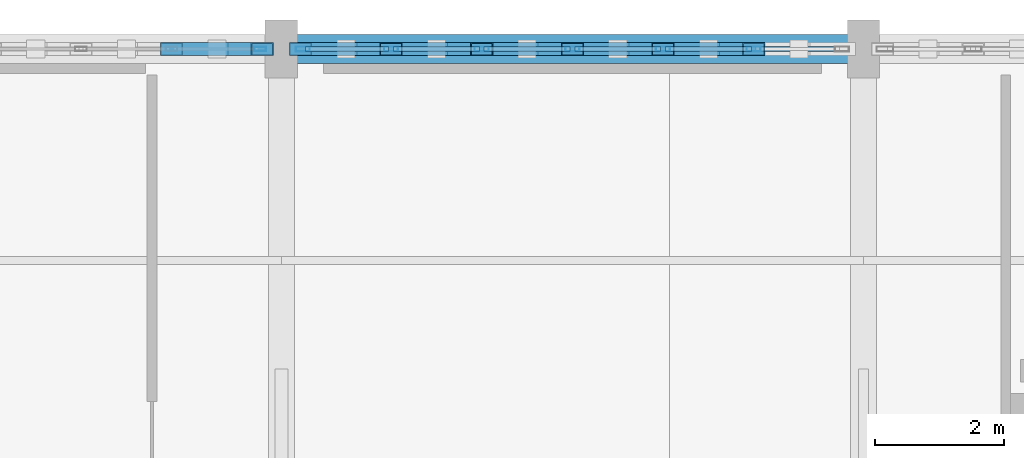
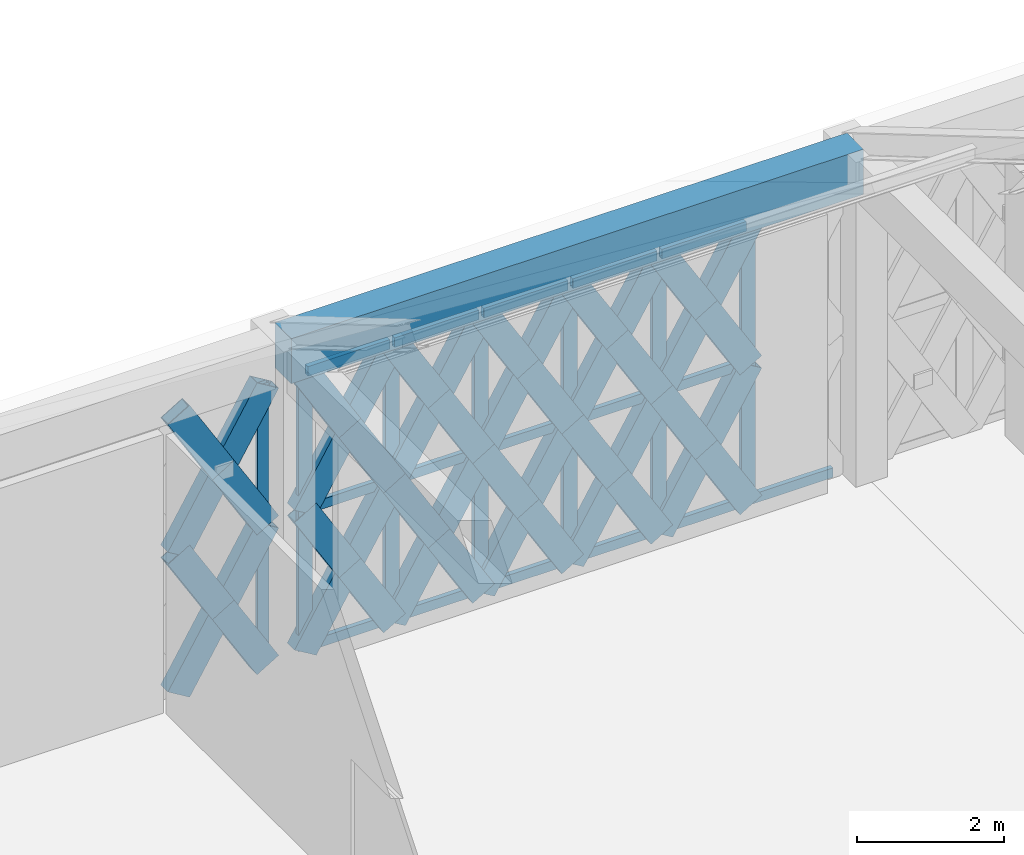
# One storey, part 52 of 72: 59 members, 1 beam, 2 elements without a shape of their own.
"""IFC4 building model written with IfcOpenShell, lengths in metres."""

from ifc_helpers import new_model, si_unit, direction, frame, origin, origin_2d, place, context, subcontext, project, spatial, rectangle, hollow_rectangle, extrude, material, material_profile, profile_set, type_object, element, aggregate, save


model = new_model("IFC4")

# Units and contexts
model_context = context("Model", 3, precision=1e-05, world=origin(), true_north=direction((0.0, 1.0)))
body_context = subcontext(model_context, "Body", "Model", "MODEL_VIEW")
ifc_project = project(units=[si_unit("LENGTHUNIT", "METRE"), si_unit("AREAUNIT", "SQUARE_METRE"), si_unit("VOLUMEUNIT", "CUBIC_METRE"), si_unit("PLANEANGLEUNIT", "RADIAN"), si_unit("MASSUNIT", "GRAM", prefix="KILO")], contexts=[model_context])

# Site, building, storey
site_placement = place(None, origin())
site = spatial("IfcSite", under=ifc_project, at=site_placement, CompositionType="ELEMENT")
building_placement = place(site_placement, origin())
building = spatial("IfcBuilding", under=site, at=building_placement, Name="Haizhuo Lancet Aquarium", CompositionType="ELEMENT")
storey_placement = place(building_placement, frame((0.0, 0.0, 21.60009765625)))
storey = spatial("IfcBuildingStorey", under=building, at=storey_placement, Name="L04", CompositionType="ELEMENT", Elevation=21.60009765625)

# Beam
ifc_material_1 = material(Name="Concrete C40/50", Category="concrete")
ifc_material_profile_1 = material_profile(ifc_material_1, rectangle(XDim=0.449951171875, YDim=0.75, at=origin_2d()), Name="RC-BM 450x750")
ifc_profile_set_1 = profile_set([ifc_material_profile_1], Name="Concrete C40/50")
beam_type = type_object("IfcBeamType", Name="BM-RC-450x750", PredefinedType="BEAM", material=ifc_profile_set_1)
beam_placement = place(storey_placement, frame((0.0, 55.800048828125, 5.02490234375), z_axis=(1.0, 0.0, 0.0), x_axis=(0.0, 1.0, 0.0)))
element("IfcBeam", 1, at=beam_placement, inside=storey, type_object=beam_type, Name="L04 V5 primary girder BM-L04-V5-016", PredefinedType="BEAM", context=body_context, shape_type="SweptSolid", body=[
    extrude(rectangle(XDim=0.449951171875, YDim=0.75, at=origin_2d()), origin(), (0.0, 0.0, 1.0), 9.0),
])

# Curtain wall, member
ifc_material_2 = material(Name="Aluminium 6063-T6", Category="aluminium")
curtain_wall_type = type_object("IfcCurtainWallType", Name="CWD-8410x4650", PredefinedType="NOTDEFINED", material=ifc_material_2)
curtain_wall_1_placement = place(storey_placement, origin())
curtain_wall_1 = element("IfcCurtainWall", 2, at=curtain_wall_1_placement, inside=storey, type_object=curtain_wall_type, Name="L04 curtain wall CW-V5-L04-178", PredefinedType="NOTDEFINED")
ifc_material_profile_2 = material_profile(ifc_material_2, hollow_rectangle(XDim=0.06494140625, YDim=0.179931640625, WallThickness=0.00390625, at=origin_2d()), Name="ALU-M 65x180x4")
ifc_profile_set_2 = profile_set([ifc_material_profile_2], Name="Aluminium 6063-T6")
member_type_1 = type_object("IfcMemberType", Name="CW-MUL-1", PredefinedType="MULLION", material=ifc_profile_set_2)
member_1_placement = place(storey_placement, frame((-0.327880859375, 55.800048828125, 0.0), z_axis=(0.0, 0.0, 1.0), x_axis=(0.0, 1.0, 0.0)))
member_1 = element("IfcMember", 3, at=member_1_placement, type_object=member_type_1, Name="CWD-84x46 mullion 7", PredefinedType="MULLION", context=body_context, shape_type="SweptSolid", body=[
    extrude(hollow_rectangle(XDim=0.06494140625, YDim=0.179931640625, WallThickness=0.00390625, at=origin_2d()), origin(), (0.0, 0.0, 1.0), 4.64990234375),
])
aggregate(curtain_wall_1, [member_1])

# Curtain wall, members
curtain_wall_2_placement = place(storey_placement, origin())
curtain_wall_2 = element("IfcCurtainWall", 4, at=curtain_wall_2_placement, inside=storey, type_object=curtain_wall_type, Name="L04 curtain wall CW-V5-L04-179", PredefinedType="NOTDEFINED")
ifc_material_profile_3 = material_profile(ifc_material_2, hollow_rectangle(XDim=0.074951171875, YDim=0.219970703125, WallThickness=0.0048828125, at=origin_2d()), Name="ALU-M 75x220x5")
ifc_profile_set_3 = profile_set([ifc_material_profile_3], Name="Aluminium 6063-T6")
member_type_2 = type_object("IfcMemberType", Name="CW-MUL-2", PredefinedType="MULLION", material=ifc_profile_set_3)
member_2_placement = place(storey_placement, frame((0.33203125, 55.800048828125, 0.0), z_axis=(0.0, 0.0, 1.0), x_axis=(0.0, 1.0, 0.0)))
member_2 = element("IfcMember", 5, at=member_2_placement, type_object=member_type_2, Name="CWD-84x46 mullion 1", PredefinedType="MULLION", context=body_context, shape_type="SweptSolid", body=[
    extrude(hollow_rectangle(XDim=0.074951171875, YDim=0.219970703125, WallThickness=0.0048828125, at=origin_2d()), origin(), (0.0, 0.0, 1.0), 4.64990234375),
])
member_3_placement = place(storey_placement, frame((1.697021484375, 55.800048828125, 0.0), z_axis=(0.0, 0.0, 1.0), x_axis=(0.0, 1.0, 0.0)))
member_3 = element("IfcMember", 6, at=member_3_placement, type_object=member_type_2, Name="CWD-84x46 mullion 2", PredefinedType="MULLION", context=body_context, shape_type="SweptSolid", body=[
    extrude(hollow_rectangle(XDim=0.074951171875, YDim=0.219970703125, WallThickness=0.0048828125, at=origin_2d()), origin(), (0.0, 0.0, 1.0), 4.64990234375),
])
member_4_placement = place(storey_placement, frame((3.097900390625, 55.800048828125, 0.0), z_axis=(0.0, 0.0, 1.0), x_axis=(0.0, 1.0, 0.0)))
member_4 = element("IfcMember", 7, at=member_4_placement, type_object=member_type_2, Name="CWD-84x46 mullion 3", PredefinedType="MULLION", context=body_context, shape_type="SweptSolid", body=[
    extrude(hollow_rectangle(XDim=0.074951171875, YDim=0.219970703125, WallThickness=0.0048828125, at=origin_2d()), origin(), (0.0, 0.0, 1.0), 4.64990234375),
])
member_5_placement = place(storey_placement, frame((4.5, 55.800048828125, 0.0), z_axis=(0.0, 0.0, 1.0), x_axis=(0.0, 1.0, 0.0)))
member_5 = element("IfcMember", 8, at=member_5_placement, type_object=member_type_2, Name="CWD-84x46 mullion 4", PredefinedType="MULLION", context=body_context, shape_type="SweptSolid", body=[
    extrude(hollow_rectangle(XDim=0.074951171875, YDim=0.219970703125, WallThickness=0.0048828125, at=origin_2d()), origin(), (0.0, 0.0, 1.0), 4.64990234375),
])
member_6_placement = place(storey_placement, frame((5.902099609375, 55.800048828125, 0.0), z_axis=(0.0, 0.0, 1.0), x_axis=(0.0, 1.0, 0.0)))
member_6 = element("IfcMember", 9, at=member_6_placement, type_object=member_type_2, Name="CWD-84x46 mullion 5", PredefinedType="MULLION", context=body_context, shape_type="SweptSolid", body=[
    extrude(hollow_rectangle(XDim=0.074951171875, YDim=0.219970703125, WallThickness=0.0048828125, at=origin_2d()), origin(), (0.0, 0.0, 1.0), 4.64990234375),
])
member_7_placement = place(storey_placement, frame((7.302978515625, 55.800048828125, 0.0), z_axis=(0.0, 0.0, 1.0), x_axis=(0.0, 1.0, 0.0)))
member_7 = element("IfcMember", 10, at=member_7_placement, type_object=member_type_2, Name="CWD-84x46 mullion 6", PredefinedType="MULLION", context=body_context, shape_type="SweptSolid", body=[
    extrude(hollow_rectangle(XDim=0.074951171875, YDim=0.219970703125, WallThickness=0.0048828125, at=origin_2d()), origin(), (0.0, 0.0, 1.0), 4.64990234375),
])
ifc_material_profile_4 = material_profile(ifc_material_2, hollow_rectangle(XDim=0.074951171875, YDim=0.159912109375, WallThickness=0.00390625, at=origin_2d()), Name="ALU-T 75x160x4")
ifc_profile_set_4 = profile_set([ifc_material_profile_4], Name="Aluminium 6063-T6")
member_type_3 = type_object("IfcMemberType", Name="CW-TRN-2", PredefinedType="NOTDEFINED", material=ifc_profile_set_4)
member_8_placement = place(storey_placement, frame((0.3701171875, 55.800048828125, 0.037841796875), z_axis=(1.0, 0.0, 0.0), x_axis=(0.0, 1.0, 0.0)))
member_8 = element("IfcMember", 11, at=member_8_placement, type_object=member_type_3, Name="CWD-84x46 transom 1.1", ObjectType="TRANSOM", PredefinedType="USERDEFINED", context=body_context, shape_type="SweptSolid", body=[
    extrude(hollow_rectangle(XDim=0.074951171875, YDim=0.159912109375, WallThickness=0.00390625, at=origin_2d()), origin(), (0.0, 0.0, 1.0), 1.288818359375),
])
member_9_placement = place(storey_placement, frame((0.3701171875, 55.800048828125, 2.324951171875), z_axis=(1.0, 0.0, 0.0), x_axis=(0.0, 1.0, 0.0)))
member_9 = element("IfcMember", 12, at=member_9_placement, type_object=member_type_3, Name="CWD-84x46 transom 1.2", ObjectType="TRANSOM", PredefinedType="USERDEFINED", context=body_context, shape_type="SweptSolid", body=[
    extrude(hollow_rectangle(XDim=0.074951171875, YDim=0.159912109375, WallThickness=0.00390625, at=origin_2d()), origin(), (0.0, 0.0, 1.0), 1.288818359375),
])
member_10_placement = place(storey_placement, frame((0.3701171875, 55.800048828125, 4.61181640625), z_axis=(1.0, 0.0, 0.0), x_axis=(0.0, 1.0, 0.0)))
member_10 = element("IfcMember", 13, at=member_10_placement, type_object=member_type_3, Name="CWD-84x46 transom 1.3", ObjectType="TRANSOM", PredefinedType="USERDEFINED", context=body_context, shape_type="SweptSolid", body=[
    extrude(hollow_rectangle(XDim=0.074951171875, YDim=0.159912109375, WallThickness=0.00390625, at=origin_2d()), origin(), (0.0, 0.0, 1.0), 1.288818359375),
])
member_11_placement = place(storey_placement, frame((1.73388671875, 55.800048828125, 0.037841796875), z_axis=(1.0, 0.0, 0.0), x_axis=(0.0, 1.0, 0.0)))
member_11 = element("IfcMember", 14, at=member_11_placement, type_object=member_type_3, Name="CWD-84x46 transom 2.1", ObjectType="TRANSOM", PredefinedType="USERDEFINED", context=body_context, shape_type="SweptSolid", body=[
    extrude(hollow_rectangle(XDim=0.074951171875, YDim=0.159912109375, WallThickness=0.00390625, at=origin_2d()), origin(), (0.0, 0.0, 1.0), 1.3271484375),
])
member_12_placement = place(storey_placement, frame((1.73388671875, 55.800048828125, 2.324951171875), z_axis=(1.0, 0.0, 0.0), x_axis=(0.0, 1.0, 0.0)))
member_12 = element("IfcMember", 15, at=member_12_placement, type_object=member_type_3, Name="CWD-84x46 transom 2.2", ObjectType="TRANSOM", PredefinedType="USERDEFINED", context=body_context, shape_type="SweptSolid", body=[
    extrude(hollow_rectangle(XDim=0.074951171875, YDim=0.159912109375, WallThickness=0.00390625, at=origin_2d()), origin(), (0.0, 0.0, 1.0), 1.3271484375),
])
member_13_placement = place(storey_placement, frame((1.73388671875, 55.800048828125, 4.61181640625), z_axis=(1.0, 0.0, 0.0), x_axis=(0.0, 1.0, 0.0)))
member_13 = element("IfcMember", 16, at=member_13_placement, type_object=member_type_3, Name="CWD-84x46 transom 2.3", ObjectType="TRANSOM", PredefinedType="USERDEFINED", context=body_context, shape_type="SweptSolid", body=[
    extrude(hollow_rectangle(XDim=0.074951171875, YDim=0.159912109375, WallThickness=0.00390625, at=origin_2d()), origin(), (0.0, 0.0, 1.0), 1.3271484375),
])
member_14_placement = place(storey_placement, frame((3.135986328125, 55.800048828125, 0.037841796875), z_axis=(1.0, 0.0, 0.0), x_axis=(0.0, 1.0, 0.0)))
member_14 = element("IfcMember", 17, at=member_14_placement, type_object=member_type_3, Name="CWD-84x46 transom 3.1", ObjectType="TRANSOM", PredefinedType="USERDEFINED", context=body_context, shape_type="SweptSolid", body=[
    extrude(hollow_rectangle(XDim=0.074951171875, YDim=0.159912109375, WallThickness=0.00390625, at=origin_2d()), origin(), (0.0, 0.0, 1.0), 1.326904296875),
])
member_15_placement = place(storey_placement, frame((3.135986328125, 55.800048828125, 2.324951171875), z_axis=(1.0, 0.0, 0.0), x_axis=(0.0, 1.0, 0.0)))
member_15 = element("IfcMember", 18, at=member_15_placement, type_object=member_type_3, Name="CWD-84x46 transom 3.2", ObjectType="TRANSOM", PredefinedType="USERDEFINED", context=body_context, shape_type="SweptSolid", body=[
    extrude(hollow_rectangle(XDim=0.074951171875, YDim=0.159912109375, WallThickness=0.00390625, at=origin_2d()), origin(), (0.0, 0.0, 1.0), 1.326904296875),
])
member_16_placement = place(storey_placement, frame((3.135986328125, 55.800048828125, 4.61181640625), z_axis=(1.0, 0.0, 0.0), x_axis=(0.0, 1.0, 0.0)))
member_16 = element("IfcMember", 19, at=member_16_placement, type_object=member_type_3, Name="CWD-84x46 transom 3.3", ObjectType="TRANSOM", PredefinedType="USERDEFINED", context=body_context, shape_type="SweptSolid", body=[
    extrude(hollow_rectangle(XDim=0.074951171875, YDim=0.159912109375, WallThickness=0.00390625, at=origin_2d()), origin(), (0.0, 0.0, 1.0), 1.326904296875),
])
member_17_placement = place(storey_placement, frame((4.537109375, 55.800048828125, 0.037841796875), z_axis=(1.0, 0.0, 0.0), x_axis=(0.0, 1.0, 0.0)))
member_17 = element("IfcMember", 20, at=member_17_placement, type_object=member_type_3, Name="CWD-84x46 transom 4.1", ObjectType="TRANSOM", PredefinedType="USERDEFINED", context=body_context, shape_type="SweptSolid", body=[
    extrude(hollow_rectangle(XDim=0.074951171875, YDim=0.159912109375, WallThickness=0.00390625, at=origin_2d()), origin(), (0.0, 0.0, 1.0), 1.326904296875),
])
member_18_placement = place(storey_placement, frame((4.537109375, 55.800048828125, 2.324951171875), z_axis=(1.0, 0.0, 0.0), x_axis=(0.0, 1.0, 0.0)))
member_18 = element("IfcMember", 21, at=member_18_placement, type_object=member_type_3, Name="CWD-84x46 transom 4.2", ObjectType="TRANSOM", PredefinedType="USERDEFINED", context=body_context, shape_type="SweptSolid", body=[
    extrude(hollow_rectangle(XDim=0.074951171875, YDim=0.159912109375, WallThickness=0.00390625, at=origin_2d()), origin(), (0.0, 0.0, 1.0), 1.326904296875),
])
member_19_placement = place(storey_placement, frame((4.537109375, 55.800048828125, 4.61181640625), z_axis=(1.0, 0.0, 0.0), x_axis=(0.0, 1.0, 0.0)))
member_19 = element("IfcMember", 22, at=member_19_placement, type_object=member_type_3, Name="CWD-84x46 transom 4.3", ObjectType="TRANSOM", PredefinedType="USERDEFINED", context=body_context, shape_type="SweptSolid", body=[
    extrude(hollow_rectangle(XDim=0.074951171875, YDim=0.159912109375, WallThickness=0.00390625, at=origin_2d()), origin(), (0.0, 0.0, 1.0), 1.326904296875),
])
member_20_placement = place(storey_placement, frame((5.93896484375, 55.800048828125, 0.037841796875), z_axis=(1.0, 0.0, 0.0), x_axis=(0.0, 1.0, 0.0)))
member_20 = element("IfcMember", 23, at=member_20_placement, type_object=member_type_3, Name="CWD-84x46 transom 5.1", ObjectType="TRANSOM", PredefinedType="USERDEFINED", context=body_context, shape_type="SweptSolid", body=[
    extrude(hollow_rectangle(XDim=0.074951171875, YDim=0.159912109375, WallThickness=0.00390625, at=origin_2d()), origin(), (0.0, 0.0, 1.0), 1.3271484375),
])
member_21_placement = place(storey_placement, frame((5.93896484375, 55.800048828125, 2.324951171875), z_axis=(1.0, 0.0, 0.0), x_axis=(0.0, 1.0, 0.0)))
member_21 = element("IfcMember", 24, at=member_21_placement, type_object=member_type_3, Name="CWD-84x46 transom 5.2", ObjectType="TRANSOM", PredefinedType="USERDEFINED", context=body_context, shape_type="SweptSolid", body=[
    extrude(hollow_rectangle(XDim=0.074951171875, YDim=0.159912109375, WallThickness=0.00390625, at=origin_2d()), origin(), (0.0, 0.0, 1.0), 1.3271484375),
])
member_22_placement = place(storey_placement, frame((5.93896484375, 55.800048828125, 4.61181640625), z_axis=(1.0, 0.0, 0.0), x_axis=(0.0, 1.0, 0.0)))
member_22 = element("IfcMember", 25, at=member_22_placement, type_object=member_type_3, Name="CWD-84x46 transom 5.3", ObjectType="TRANSOM", PredefinedType="USERDEFINED", context=body_context, shape_type="SweptSolid", body=[
    extrude(hollow_rectangle(XDim=0.074951171875, YDim=0.159912109375, WallThickness=0.00390625, at=origin_2d()), origin(), (0.0, 0.0, 1.0), 1.3271484375),
])
member_23_placement = place(storey_placement, frame((7.341064453125, 55.800048828125, 0.037841796875), z_axis=(1.0, 0.0, 0.0), x_axis=(0.0, 1.0, 0.0)))
member_23 = element("IfcMember", 26, at=member_23_placement, type_object=member_type_3, Name="CWD-84x46 transom 6.1", ObjectType="TRANSOM", PredefinedType="USERDEFINED", context=body_context, shape_type="SweptSolid", body=[
    extrude(hollow_rectangle(XDim=0.074951171875, YDim=0.159912109375, WallThickness=0.00390625, at=origin_2d()), origin(), (0.0, 0.0, 1.0), 1.288818359375),
])
aggregate(curtain_wall_2, [member_2, member_3, member_4, member_5, member_6, member_7, member_8, member_9, member_10, member_11, member_12, member_13, member_14, member_15, member_16, member_17, member_18, member_19, member_20, member_21, member_22, member_23])

# Members
ifc_material_3 = material(Name="Steel S355", Category="steel")
ifc_material_profile_5 = material_profile(ifc_material_3, hollow_rectangle(XDim=0.199951171875, YDim=0.39990234375, WallThickness=0.011962890625, at=origin_2d()), Name="RHS 200x400x12")
ifc_profile_set_5 = profile_set([ifc_material_profile_5], Name="Steel S355")
member_type_4 = type_object("IfcMemberType", Name="MEM-LB-RHS200x400", PredefinedType="BRACE", material=ifc_profile_set_5)
member_24_placement = place(storey_placement, frame((-1.697021484375, 55.800048828125, 0.0), z_axis=(0.516425141118, 0.0, 0.856332338302), x_axis=(0.0, 1.0, 0.0)))
element("IfcMember", 27, at=member_24_placement, inside=storey, type_object=member_type_4, Name="Gothic lancet continuous diagonal brace CW-V5-L04-178 11A", PredefinedType="BRACE", context=body_context, shape_type="SweptSolid", body=[
    extrude(hollow_rectangle(XDim=0.199951171875, YDim=0.39990234375, WallThickness=0.011962890625, at=origin_2d()), origin(), (0.0, 0.0, 1.0), 2.715087890625),
])
member_25_placement = place(storey_placement, frame((-0.294921875, 55.800048828125, 0.0), z_axis=(-0.516371795819, 0.0, 0.856364506786), x_axis=(0.0, -1.0, 0.0)))
element("IfcMember", 28, at=member_25_placement, inside=storey, type_object=member_type_4, Name="Gothic lancet split diagonal brace CW-V5-L04-178 11B1", PredefinedType="BRACE", context=body_context, shape_type="SweptSolid", body=[
    extrude(hollow_rectangle(XDim=0.199951171875, YDim=0.39990234375, WallThickness=0.011962890625, at=origin_2d()), origin(), (0.0, 0.0, 1.0), 1.35791015625),
])
member_26_placement = place(storey_placement, frame((-0.99609375, 55.800048828125, 1.162841796875), z_axis=(-0.51647851402, 0.0, 0.856300148637), x_axis=(0.0, -1.0, 0.0)))
element("IfcMember", 29, at=member_26_placement, inside=storey, type_object=member_type_4, Name="Gothic lancet split diagonal brace CW-V5-L04-178 11B2", PredefinedType="BRACE", context=body_context, shape_type="SweptSolid", body=[
    extrude(hollow_rectangle(XDim=0.199951171875, YDim=0.39990234375, WallThickness=0.011962890625, at=origin_2d()), origin(), (0.0, 0.0, 1.0), 1.357177734375),
])
member_27_placement = place(storey_placement, frame((-1.697021484375, 55.800048828125, 2.324951171875), z_axis=(0.516425141118, 0.0, 0.856332338302), x_axis=(0.0, 1.0, 0.0)))
element("IfcMember", 30, at=member_27_placement, inside=storey, type_object=member_type_4, Name="Gothic lancet continuous diagonal brace CW-V5-L04-178 12A", PredefinedType="BRACE", context=body_context, shape_type="SweptSolid", body=[
    extrude(hollow_rectangle(XDim=0.199951171875, YDim=0.39990234375, WallThickness=0.011962890625, at=origin_2d()), origin(), (0.0, 0.0, 1.0), 2.715087890625),
])
member_28_placement = place(storey_placement, frame((-0.294921875, 55.800048828125, 2.324951171875), z_axis=(-0.516689979653, 0.0, 0.856172567259), x_axis=(0.0, -1.0, 0.0)))
element("IfcMember", 31, at=member_28_placement, inside=storey, type_object=member_type_4, Name="Gothic lancet split diagonal brace CW-V5-L04-178 12B1", PredefinedType="BRACE", context=body_context, shape_type="SweptSolid", body=[
    extrude(hollow_rectangle(XDim=0.199951171875, YDim=0.39990234375, WallThickness=0.011962890625, at=origin_2d()), origin(), (0.0, 0.0, 1.0), 1.35693359375),
])
member_29_placement = place(storey_placement, frame((-0.99609375, 55.800048828125, 3.48681640625), z_axis=(-0.516160432506, 0.0, 0.856491919352), x_axis=(0.0, -1.0, 0.0)))
element("IfcMember", 32, at=member_29_placement, inside=storey, type_object=member_type_4, Name="Gothic lancet split diagonal brace CW-V5-L04-178 12B2", PredefinedType="BRACE", context=body_context, shape_type="SweptSolid", body=[
    extrude(hollow_rectangle(XDim=0.199951171875, YDim=0.39990234375, WallThickness=0.011962890625, at=origin_2d()), origin(), (0.0, 0.0, 1.0), 1.35791015625),
])
member_30_placement = place(storey_placement, frame((0.294921875, 55.800048828125, 0.0), z_axis=(0.516425141118, 0.0, 0.856332338302), x_axis=(0.0, 1.0, 0.0)))
element("IfcMember", 33, at=member_30_placement, inside=storey, type_object=member_type_4, Name="Gothic lancet continuous diagonal brace CW-V5-L04-179 1A", PredefinedType="BRACE", context=body_context, shape_type="SweptSolid", body=[
    extrude(hollow_rectangle(XDim=0.199951171875, YDim=0.39990234375, WallThickness=0.011962890625, at=origin_2d()), origin(), (0.0, 0.0, 1.0), 2.715087890625),
])
member_31_placement = place(storey_placement, frame((1.697021484375, 55.800048828125, 0.0), z_axis=(-0.516239922823, 0.0, 0.856444009894), x_axis=(0.0, -1.0, 0.0)))
element("IfcMember", 34, at=member_31_placement, inside=storey, type_object=member_type_4, Name="Gothic lancet split diagonal brace CW-V5-L04-179 1B1", PredefinedType="BRACE", context=body_context, shape_type="SweptSolid", body=[
    extrude(hollow_rectangle(XDim=0.199951171875, YDim=0.39990234375, WallThickness=0.011962890625, at=origin_2d()), origin(), (0.0, 0.0, 1.0), 1.357666015625),
])
member_32_placement = place(storey_placement, frame((0.99609375, 55.800048828125, 1.162841796875), z_axis=(-0.516610403628, 0.0, 0.8562205854), x_axis=(0.0, -1.0, 0.0)))
element("IfcMember", 35, at=member_32_placement, inside=storey, type_object=member_type_4, Name="Gothic lancet split diagonal brace CW-V5-L04-179 1B2", PredefinedType="BRACE", context=body_context, shape_type="SweptSolid", body=[
    extrude(hollow_rectangle(XDim=0.199951171875, YDim=0.39990234375, WallThickness=0.011962890625, at=origin_2d()), origin(), (0.0, 0.0, 1.0), 1.357177734375),
])
member_33_placement = place(storey_placement, frame((0.294921875, 55.800048828125, 2.324951171875), z_axis=(0.516425141118, 0.0, 0.856332338302), x_axis=(0.0, 1.0, 0.0)))
element("IfcMember", 36, at=member_33_placement, inside=storey, type_object=member_type_4, Name="Gothic lancet continuous diagonal brace CW-V5-L04-179 2A", PredefinedType="BRACE", context=body_context, shape_type="SweptSolid", body=[
    extrude(hollow_rectangle(XDim=0.199951171875, YDim=0.39990234375, WallThickness=0.011962890625, at=origin_2d()), origin(), (0.0, 0.0, 1.0), 2.715087890625),
])
member_34_placement = place(storey_placement, frame((1.697021484375, 55.800048828125, 2.324951171875), z_axis=(-0.516558084519, 0.0, 0.856252150548), x_axis=(0.0, -1.0, 0.0)))
element("IfcMember", 37, at=member_34_placement, inside=storey, type_object=member_type_4, Name="Gothic lancet split diagonal brace CW-V5-L04-179 2B1", PredefinedType="BRACE", context=body_context, shape_type="SweptSolid", body=[
    extrude(hollow_rectangle(XDim=0.199951171875, YDim=0.39990234375, WallThickness=0.011962890625, at=origin_2d()), origin(), (0.0, 0.0, 1.0), 1.35693359375),
])
member_35_placement = place(storey_placement, frame((0.99609375, 55.800048828125, 3.48681640625), z_axis=(-0.516292299955, 0.0, 0.856412436276), x_axis=(0.0, -1.0, 0.0)))
element("IfcMember", 38, at=member_35_placement, inside=storey, type_object=member_type_4, Name="Gothic lancet split diagonal brace CW-V5-L04-179 2B2", PredefinedType="BRACE", context=body_context, shape_type="SweptSolid", body=[
    extrude(hollow_rectangle(XDim=0.199951171875, YDim=0.39990234375, WallThickness=0.011962890625, at=origin_2d()), origin(), (0.0, 0.0, 1.0), 1.358154296875),
])
member_36_placement = place(storey_placement, frame((1.697021484375, 55.800048828125, 0.0), z_axis=(0.516095323005, 0.0, 0.856531153883), x_axis=(0.0, 1.0, 0.0)))
element("IfcMember", 39, at=member_36_placement, inside=storey, type_object=member_type_4, Name="Gothic lancet continuous diagonal brace CW-V5-L04-179 3A", PredefinedType="BRACE", context=body_context, shape_type="SweptSolid", body=[
    extrude(hollow_rectangle(XDim=0.199951171875, YDim=0.39990234375, WallThickness=0.011962890625, at=origin_2d()), origin(), (0.0, 0.0, 1.0), 2.71435546875),
])
member_37_placement = place(storey_placement, frame((3.097900390625, 55.800048828125, 0.0), z_axis=(-0.516239922823, 0.0, 0.856444009894), x_axis=(0.0, -1.0, 0.0)))
element("IfcMember", 40, at=member_37_placement, inside=storey, type_object=member_type_4, Name="Gothic lancet split diagonal brace CW-V5-L04-179 3B1", PredefinedType="BRACE", context=body_context, shape_type="SweptSolid", body=[
    extrude(hollow_rectangle(XDim=0.199951171875, YDim=0.39990234375, WallThickness=0.011962890625, at=origin_2d()), origin(), (0.0, 0.0, 1.0), 1.357666015625),
])
member_38_placement = place(storey_placement, frame((2.39697265625, 55.800048828125, 1.162841796875), z_axis=(-0.515950587872, 0.0, 0.8566183461), x_axis=(0.0, -1.0, 0.0)))
element("IfcMember", 41, at=member_38_placement, inside=storey, type_object=member_type_4, Name="Gothic lancet split diagonal brace CW-V5-L04-179 3B2", PredefinedType="BRACE", context=body_context, shape_type="SweptSolid", body=[
    extrude(hollow_rectangle(XDim=0.199951171875, YDim=0.39990234375, WallThickness=0.011962890625, at=origin_2d()), origin(), (0.0, 0.0, 1.0), 1.356689453125),
])
member_39_placement = place(storey_placement, frame((1.697021484375, 55.800048828125, 2.324951171875), z_axis=(0.516095323005, 0.0, 0.856531153883), x_axis=(0.0, 1.0, 0.0)))
element("IfcMember", 42, at=member_39_placement, inside=storey, type_object=member_type_4, Name="Gothic lancet continuous diagonal brace CW-V5-L04-179 4A", PredefinedType="BRACE", context=body_context, shape_type="SweptSolid", body=[
    extrude(hollow_rectangle(XDim=0.199951171875, YDim=0.39990234375, WallThickness=0.011962890625, at=origin_2d()), origin(), (0.0, 0.0, 1.0), 2.71435546875),
])
member_40_placement = place(storey_placement, frame((3.097900390625, 55.800048828125, 2.324951171875), z_axis=(-0.516558084519, 0.0, 0.856252150548), x_axis=(0.0, -1.0, 0.0)))
element("IfcMember", 43, at=member_40_placement, inside=storey, type_object=member_type_4, Name="Gothic lancet split diagonal brace CW-V5-L04-179 4B1", PredefinedType="BRACE", context=body_context, shape_type="SweptSolid", body=[
    extrude(hollow_rectangle(XDim=0.199951171875, YDim=0.39990234375, WallThickness=0.011962890625, at=origin_2d()), origin(), (0.0, 0.0, 1.0), 1.35693359375),
])
member_41_placement = place(storey_placement, frame((2.39697265625, 55.800048828125, 3.48681640625), z_axis=(-0.51563259551, 0.0, 0.856809795957), x_axis=(0.0, -1.0, 0.0)))
element("IfcMember", 44, at=member_41_placement, inside=storey, type_object=member_type_4, Name="Gothic lancet split diagonal brace CW-V5-L04-179 4B2", PredefinedType="BRACE", context=body_context, shape_type="SweptSolid", body=[
    extrude(hollow_rectangle(XDim=0.199951171875, YDim=0.39990234375, WallThickness=0.011962890625, at=origin_2d()), origin(), (0.0, 0.0, 1.0), 1.357421875),
])
member_42_placement = place(storey_placement, frame((3.097900390625, 55.800048828125, 0.0), z_axis=(0.516425141118, 0.0, 0.856332338302), x_axis=(0.0, 1.0, 0.0)))
element("IfcMember", 45, at=member_42_placement, inside=storey, type_object=member_type_4, Name="Gothic lancet continuous diagonal brace CW-V5-L04-179 5A", PredefinedType="BRACE", context=body_context, shape_type="SweptSolid", body=[
    extrude(hollow_rectangle(XDim=0.199951171875, YDim=0.39990234375, WallThickness=0.011962890625, at=origin_2d()), origin(), (0.0, 0.0, 1.0), 2.715087890625),
])
member_43_placement = place(storey_placement, frame((4.5, 55.800048828125, 0.0), z_axis=(-0.516239922823, 0.0, 0.856444009894), x_axis=(0.0, -1.0, 0.0)))
element("IfcMember", 46, at=member_43_placement, inside=storey, type_object=member_type_4, Name="Gothic lancet split diagonal brace CW-V5-L04-179 5B1", PredefinedType="BRACE", context=body_context, shape_type="SweptSolid", body=[
    extrude(hollow_rectangle(XDim=0.199951171875, YDim=0.39990234375, WallThickness=0.011962890625, at=origin_2d()), origin(), (0.0, 0.0, 1.0), 1.357666015625),
])
member_44_placement = place(storey_placement, frame((3.799072265625, 55.800048828125, 1.162841796875), z_axis=(-0.516610403628, 0.0, 0.8562205854), x_axis=(0.0, -1.0, 0.0)))
element("IfcMember", 47, at=member_44_placement, inside=storey, type_object=member_type_4, Name="Gothic lancet split diagonal brace CW-V5-L04-179 5B2", PredefinedType="BRACE", context=body_context, shape_type="SweptSolid", body=[
    extrude(hollow_rectangle(XDim=0.199951171875, YDim=0.39990234375, WallThickness=0.011962890625, at=origin_2d()), origin(), (0.0, 0.0, 1.0), 1.357177734375),
])
member_45_placement = place(storey_placement, frame((3.097900390625, 55.800048828125, 2.324951171875), z_axis=(0.516425141118, 0.0, 0.856332338302), x_axis=(0.0, 1.0, 0.0)))
element("IfcMember", 48, at=member_45_placement, inside=storey, type_object=member_type_4, Name="Gothic lancet continuous diagonal brace CW-V5-L04-179 6A", PredefinedType="BRACE", context=body_context, shape_type="SweptSolid", body=[
    extrude(hollow_rectangle(XDim=0.199951171875, YDim=0.39990234375, WallThickness=0.011962890625, at=origin_2d()), origin(), (0.0, 0.0, 1.0), 2.715087890625),
])
member_46_placement = place(storey_placement, frame((4.5, 55.800048828125, 2.324951171875), z_axis=(-0.516558084519, 0.0, 0.856252150548), x_axis=(0.0, -1.0, 0.0)))
element("IfcMember", 49, at=member_46_placement, inside=storey, type_object=member_type_4, Name="Gothic lancet split diagonal brace CW-V5-L04-179 6B1", PredefinedType="BRACE", context=body_context, shape_type="SweptSolid", body=[
    extrude(hollow_rectangle(XDim=0.199951171875, YDim=0.39990234375, WallThickness=0.011962890625, at=origin_2d()), origin(), (0.0, 0.0, 1.0), 1.35693359375),
])
member_47_placement = place(storey_placement, frame((3.799072265625, 55.800048828125, 3.48681640625), z_axis=(-0.516292299955, 0.0, 0.856412436276), x_axis=(0.0, -1.0, 0.0)))
element("IfcMember", 50, at=member_47_placement, inside=storey, type_object=member_type_4, Name="Gothic lancet split diagonal brace CW-V5-L04-179 6B2", PredefinedType="BRACE", context=body_context, shape_type="SweptSolid", body=[
    extrude(hollow_rectangle(XDim=0.199951171875, YDim=0.39990234375, WallThickness=0.011962890625, at=origin_2d()), origin(), (0.0, 0.0, 1.0), 1.358154296875),
])
member_48_placement = place(storey_placement, frame((4.5, 55.800048828125, 0.0), z_axis=(0.516425141118, 0.0, 0.856332338302), x_axis=(0.0, 1.0, 0.0)))
element("IfcMember", 51, at=member_48_placement, inside=storey, type_object=member_type_4, Name="Gothic lancet continuous diagonal brace CW-V5-L04-179 7A", PredefinedType="BRACE", context=body_context, shape_type="SweptSolid", body=[
    extrude(hollow_rectangle(XDim=0.199951171875, YDim=0.39990234375, WallThickness=0.011962890625, at=origin_2d()), origin(), (0.0, 0.0, 1.0), 2.715087890625),
])
member_49_placement = place(storey_placement, frame((5.902099609375, 55.800048828125, 0.0), z_axis=(-0.516371795819, 0.0, 0.856364506786), x_axis=(0.0, -1.0, 0.0)))
element("IfcMember", 52, at=member_49_placement, inside=storey, type_object=member_type_4, Name="Gothic lancet split diagonal brace CW-V5-L04-179 7B1", PredefinedType="BRACE", context=body_context, shape_type="SweptSolid", body=[
    extrude(hollow_rectangle(XDim=0.199951171875, YDim=0.39990234375, WallThickness=0.011962890625, at=origin_2d()), origin(), (0.0, 0.0, 1.0), 1.35791015625),
])
member_50_placement = place(storey_placement, frame((5.200927734375, 55.800048828125, 1.162841796875), z_axis=(-0.51647851402, 0.0, 0.856300148637), x_axis=(0.0, -1.0, 0.0)))
element("IfcMember", 53, at=member_50_placement, inside=storey, type_object=member_type_4, Name="Gothic lancet split diagonal brace CW-V5-L04-179 7B2", PredefinedType="BRACE", context=body_context, shape_type="SweptSolid", body=[
    extrude(hollow_rectangle(XDim=0.199951171875, YDim=0.39990234375, WallThickness=0.011962890625, at=origin_2d()), origin(), (0.0, 0.0, 1.0), 1.357177734375),
])
member_51_placement = place(storey_placement, frame((4.5, 55.800048828125, 2.324951171875), z_axis=(0.516425141118, 0.0, 0.856332338302), x_axis=(0.0, 1.0, 0.0)))
element("IfcMember", 54, at=member_51_placement, inside=storey, type_object=member_type_4, Name="Gothic lancet continuous diagonal brace CW-V5-L04-179 8A", PredefinedType="BRACE", context=body_context, shape_type="SweptSolid", body=[
    extrude(hollow_rectangle(XDim=0.199951171875, YDim=0.39990234375, WallThickness=0.011962890625, at=origin_2d()), origin(), (0.0, 0.0, 1.0), 2.715087890625),
])
member_52_placement = place(storey_placement, frame((5.902099609375, 55.800048828125, 2.324951171875), z_axis=(-0.516689979653, 0.0, 0.856172567259), x_axis=(0.0, -1.0, 0.0)))
element("IfcMember", 55, at=member_52_placement, inside=storey, type_object=member_type_4, Name="Gothic lancet split diagonal brace CW-V5-L04-179 8B1", PredefinedType="BRACE", context=body_context, shape_type="SweptSolid", body=[
    extrude(hollow_rectangle(XDim=0.199951171875, YDim=0.39990234375, WallThickness=0.011962890625, at=origin_2d()), origin(), (0.0, 0.0, 1.0), 1.35693359375),
])
member_53_placement = place(storey_placement, frame((5.200927734375, 55.800048828125, 3.48681640625), z_axis=(-0.516160432506, 0.0, 0.856491919352), x_axis=(0.0, -1.0, 0.0)))
element("IfcMember", 56, at=member_53_placement, inside=storey, type_object=member_type_4, Name="Gothic lancet split diagonal brace CW-V5-L04-179 8B2", PredefinedType="BRACE", context=body_context, shape_type="SweptSolid", body=[
    extrude(hollow_rectangle(XDim=0.199951171875, YDim=0.39990234375, WallThickness=0.011962890625, at=origin_2d()), origin(), (0.0, 0.0, 1.0), 1.35791015625),
])
member_54_placement = place(storey_placement, frame((5.902099609375, 55.800048828125, 0.0), z_axis=(0.516095323005, 0.0, 0.856531153883), x_axis=(0.0, 1.0, 0.0)))
element("IfcMember", 57, at=member_54_placement, inside=storey, type_object=member_type_4, Name="Gothic lancet continuous diagonal brace CW-V5-L04-179 9A", PredefinedType="BRACE", context=body_context, shape_type="SweptSolid", body=[
    extrude(hollow_rectangle(XDim=0.199951171875, YDim=0.39990234375, WallThickness=0.011962890625, at=origin_2d()), origin(), (0.0, 0.0, 1.0), 2.71435546875),
])
for number, where, z_axis, x_axis, name in (
    (58, (7.302978515625, 55.800048828125, 0.0), (-0.515712063506, 0.0, 0.856761966683), (0.0, -1.0, 0.0), "Gothic lancet split diagonal brace CW-V5-L04-179 9B1"),
    (59, (6.60302734375, 55.800048828125, 1.162841796875), (-0.51647851402, 0.0, 0.856300148637), (0.0, -1.0, 0.0), "Gothic lancet split diagonal brace CW-V5-L04-179 9B2"),
):
    element("IfcMember", number, at=place(storey_placement, frame(where, z_axis=z_axis, x_axis=x_axis)), inside=storey, type_object=member_type_4, Name=name, PredefinedType="BRACE", context=body_context, shape_type="SweptSolid", body=[
        extrude(hollow_rectangle(XDim=0.199951171875, YDim=0.39990234375, WallThickness=0.011962890625, at=origin_2d()), origin(), (0.0, 0.0, 1.0), 1.357177734375),
    ])
member_55_placement = place(storey_placement, frame((5.902099609375, 55.800048828125, 2.324951171875), z_axis=(0.516095323005, 0.0, 0.856531153883), x_axis=(0.0, 1.0, 0.0)))
element("IfcMember", 60, at=member_55_placement, inside=storey, type_object=member_type_4, Name="Gothic lancet continuous diagonal brace CW-V5-L04-179 10A", PredefinedType="BRACE", context=body_context, shape_type="SweptSolid", body=[
    extrude(hollow_rectangle(XDim=0.199951171875, YDim=0.39990234375, WallThickness=0.011962890625, at=origin_2d()), origin(), (0.0, 0.0, 1.0), 2.71435546875),
])
member_56_placement = place(storey_placement, frame((7.302978515625, 55.800048828125, 2.324951171875), z_axis=(-0.516030136136, 0.0, 0.856570428277), x_axis=(0.0, -1.0, 0.0)))
element("IfcMember", 61, at=member_56_placement, inside=storey, type_object=member_type_4, Name="Gothic lancet split diagonal brace CW-V5-L04-179 10B1", PredefinedType="BRACE", context=body_context, shape_type="SweptSolid", body=[
    extrude(hollow_rectangle(XDim=0.199951171875, YDim=0.39990234375, WallThickness=0.011962890625, at=origin_2d()), origin(), (0.0, 0.0, 1.0), 1.3564453125),
])
member_57_placement = place(storey_placement, frame((6.60302734375, 55.800048828125, 3.48681640625), z_axis=(-0.516160432506, 0.0, 0.856491919352), x_axis=(0.0, -1.0, 0.0)))
element("IfcMember", 62, at=member_57_placement, inside=storey, type_object=member_type_4, Name="Gothic lancet split diagonal brace CW-V5-L04-179 10B2", PredefinedType="BRACE", context=body_context, shape_type="SweptSolid", body=[
    extrude(hollow_rectangle(XDim=0.199951171875, YDim=0.39990234375, WallThickness=0.011962890625, at=origin_2d()), origin(), (0.0, 0.0, 1.0), 1.35791015625),
])

save(model, "model.ifc")
